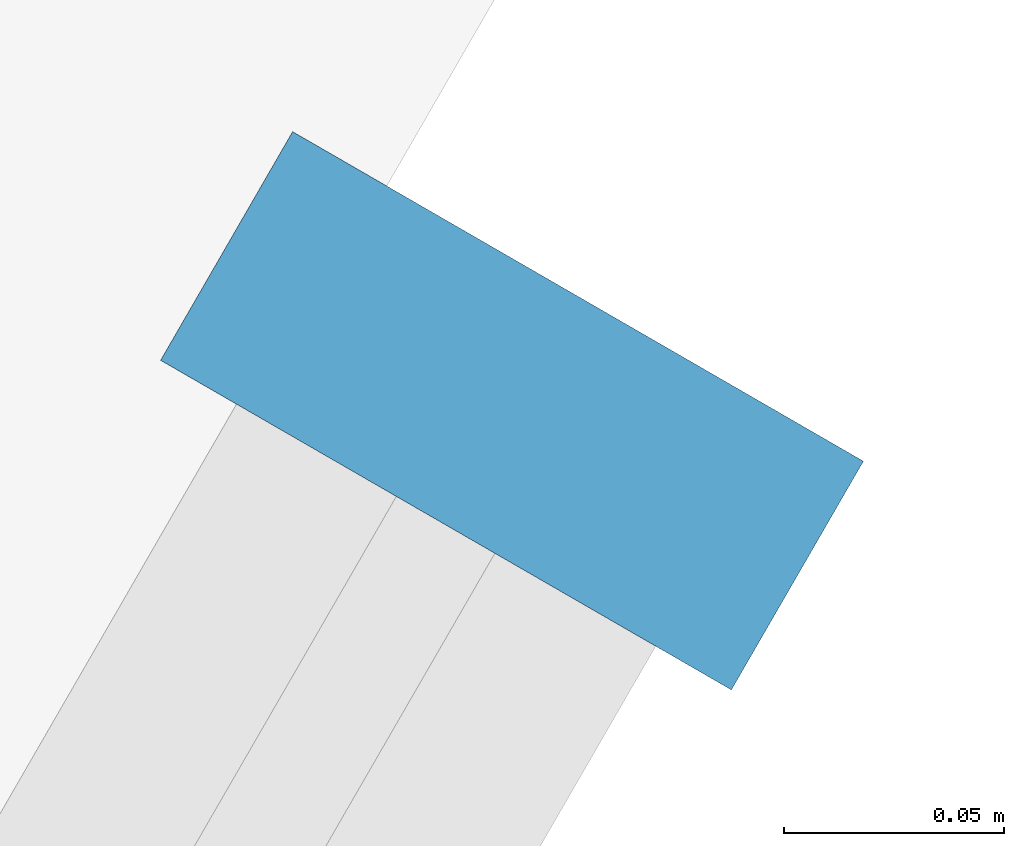
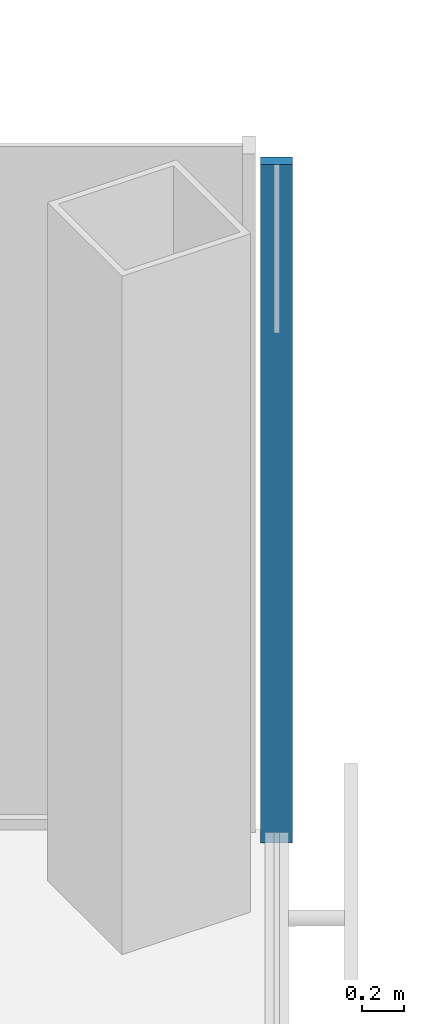
# One storey, part 9 of 18: 1 member, 1 element without a shape of its own.
"""IFC4 building model written with IfcOpenShell, lengths in metres."""

from ifc_helpers import new_model, si_unit, direction, frame, origin, origin_2d, place, context, subcontext, project, spatial, rectangle, extrude, material, material_profile, profile_set, type_object, element, aggregate, save


model = new_model("IFC4")

# Units and contexts
model_context = context("Model", 3, precision=1e-05, world=origin(), true_north=direction((0.0, 1.0)))
body_context = subcontext(model_context, "Body", "Model", "MODEL_VIEW")
ifc_project = project(units=[si_unit("LENGTHUNIT", "METRE"), si_unit("AREAUNIT", "SQUARE_METRE"), si_unit("VOLUMEUNIT", "CUBIC_METRE"), si_unit("PLANEANGLEUNIT", "RADIAN"), si_unit("MASSUNIT", "GRAM", prefix="KILO")], contexts=[model_context])

# Site, building, storey
site_placement = place(None, origin())
site = spatial("IfcSite", under=ifc_project, at=site_placement, CompositionType="ELEMENT")
building_placement = place(site_placement, origin())
building = spatial("IfcBuilding", under=site, at=building_placement, Name="Kasaneha Research Tower", CompositionType="ELEMENT")
storey_placement = place(building_placement, frame((0.0, 0.0, 187.699951171875)))
storey = spatial("IfcBuildingStorey", under=building, at=storey_placement, Name="L47", CompositionType="ELEMENT", Elevation=187.699951171875)

# Curtain wall, member
ifc_material_1 = material(Name="Glass and aluminium", Category="aluminium")
curtain_wall_type = type_object("IfcCurtainWallType", Name="Mid-rise office curtain wall", PredefinedType="USERDEFINED", material=ifc_material_1)
curtain_wall_placement = place(storey_placement, origin())
curtain_wall = element("IfcCurtainWall", 1, at=curtain_wall_placement, inside=storey, type_object=curtain_wall_type, Name="CW-O2 L47 run 04a", ObjectType="UNITISED CURTAIN WALL", PredefinedType="USERDEFINED")
ifc_material_2 = material(Name="Aluminium 6063-T6", Category="aluminium")
ifc_material_profile = material_profile(ifc_material_2, rectangle(XDim=0.06005859375, YDim=0.14990234375, at=origin_2d()), Name="CW-O2 mullion 60x150")
ifc_profile_set = profile_set([ifc_material_profile], Name="Aluminium 6063-T6")
member_type = type_object("IfcMemberType", Name="CW-O2 mullion", PredefinedType="MULLION", material=ifc_profile_set)
member_placement = place(storey_placement, frame((32.012939453125, -6.39306640625, 0.0), z_axis=(0.0, 0.0, 1.0), x_axis=(0.500000011442, 0.866025397178, 0.0)))
member = element("IfcMember", 2, at=member_placement, type_object=member_type, Name="CW-O2 mullion 4", PredefinedType="MULLION", context=body_context, shape_type="SweptSolid", body=[
    extrude(rectangle(XDim=0.06005859375, YDim=0.14990234375, at=origin_2d()), origin(), (0.0, 0.0, 1.0), 3.900146484375),
])
aggregate(curtain_wall, [member])

save(model, "model.ifc")
